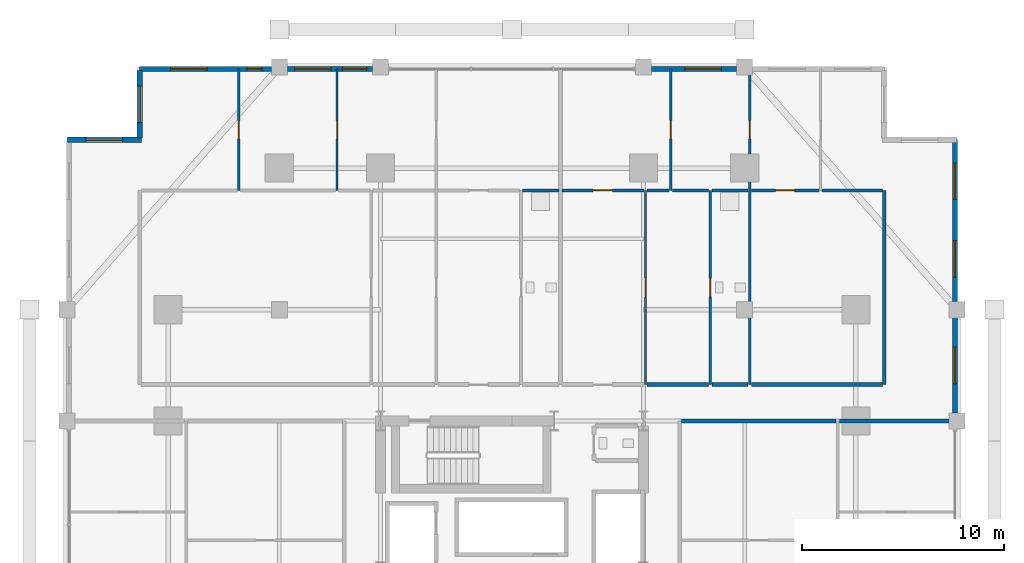
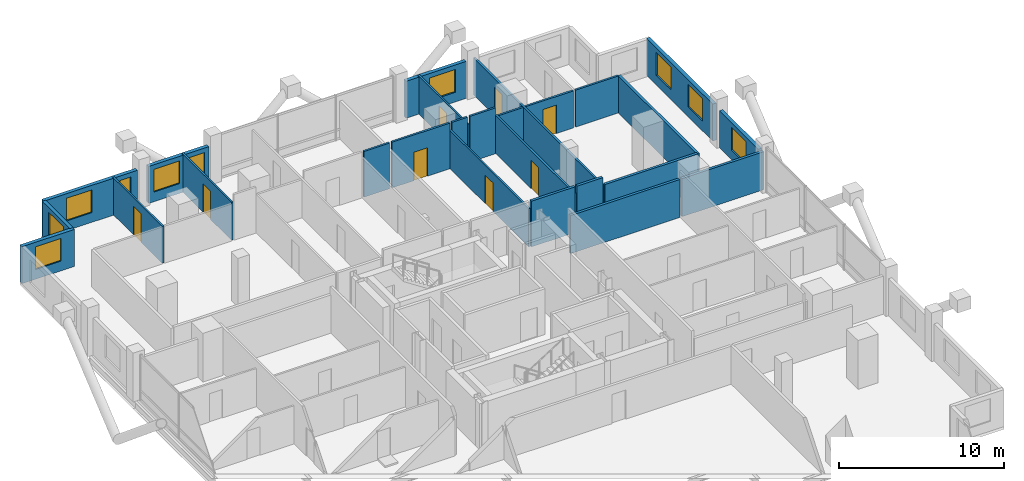
# One storey, part 20 of 23: 26 walls, 10 windows, 8 doors, 18 openings.
"""IFC4 building model written with IfcOpenShell, lengths in metres."""

from ifc_helpers import new_model, si_unit, direction, frame, frame_2d, origin, place, context, subcontext, project, spatial, rectangle, extrude, material, layer, layer_set, type_object, element, fill, save


model = new_model("IFC4")

# Units and contexts
model_context = context("Model", 3, precision=1e-05, world=origin(), true_north=direction((0.0, 1.0)))
body_context = subcontext(model_context, "Body", "Model", "MODEL_VIEW")
ifc_project = project(units=[si_unit("LENGTHUNIT", "METRE"), si_unit("AREAUNIT", "SQUARE_METRE"), si_unit("VOLUMEUNIT", "CUBIC_METRE"), si_unit("PLANEANGLEUNIT", "RADIAN"), si_unit("MASSUNIT", "GRAM", prefix="KILO")], contexts=[model_context])

# Site, building, storey
site_placement = place(None, origin())
site = spatial("IfcSite", under=ifc_project, at=site_placement, CompositionType="ELEMENT")
building_placement = place(site_placement, origin())
building = spatial("IfcBuilding", under=site, at=building_placement, Name="Barlavira Tower and Art Museum", CompositionType="ELEMENT")
storey_placement = place(building_placement, frame((0.0, 0.0, 57.60009765625)))
storey = spatial("IfcBuildingStorey", under=building, at=storey_placement, Name="L13", CompositionType="ELEMENT", Elevation=57.60009765625)

# Wall, opening, door
ifc_material_1 = material(Name="Gypsum acoustic stud partition", Category="gypsum")
ifc_layer_1 = layer(ifc_material_1, 0.1201171875, Name="Gypsum acoustic stud partition")
ifc_layer_set_1 = layer_set([ifc_layer_1], Name="Gypsum acoustic stud partition")
wall_type_1 = type_object("IfcWallType", Name="Apartment Internal Acoustic Partition 120", PredefinedType="PARTITIONING", material=ifc_layer_set_1)
wall_1_placement = place(storey_placement, frame((-13.5, 18.89990234375, 0.0), z_axis=(0.0, 0.0, 1.0), x_axis=(0.0, 1.0, 0.0)))
wall_1 = element("IfcWall", 1, at=wall_1_placement, inside=storey, type_object=wall_type_1, Name="L13 Partition Wall 3", PredefinedType="PARTITIONING", context=body_context, shape_type="SweptSolid", body=[
    extrude(rectangle(XDim=6.0, YDim=0.1201171875, at=frame_2d((3.0, 0.0))), origin(), (0.0, 0.0, 1.0), 2.73583984375),
])
opening_1_placement = place(wall_1_placement, frame((2.550048828125, 0.0, 0.0)))
opening_1 = element("IfcOpeningElement", 2, at=opening_1_placement, cuts=wall_1, Name="Opening D-01", PredefinedType="OPENING", context=body_context, shape_type="SweptSolid", body=[
    extrude(rectangle(XDim=0.89990234375, YDim=2.10009765625, at=frame_2d((0.449951171875, 1.050048828125))), frame((0.0, 0.070068359375, 0.0), z_axis=(0.0, -1.0, 0.0), x_axis=(1.0, 0.0, 0.0)), (0.0, 0.0, 1.0), 0.14013671875),
])
ifc_material_2 = material(Name="Engineered coastal hardwood", Category="wood")
door_type_1 = type_object("IfcDoorType", Name="Internal Bedroom Timber Flush Door 900x2100", OperationType="NOTDEFINED", PredefinedType="DOOR", material=ifc_material_2)
door_1_placement = place(opening_1_placement, origin())
door_1 = element("IfcDoor", 3, at=door_1_placement, inside=storey, type_object=door_type_1, Name="Apartment N1 Bedroom 3 Door", OperationType="SINGLE_SWING_RIGHT", OverallHeight=2.10009765625, OverallWidth=0.89990234375, PredefinedType="DOOR", context=body_context, shape_type="SweptSolid", body=[
    extrude(rectangle(XDim=0.89990234375, YDim=2.10009765625, at=frame_2d((0.449951171875, 1.050048828125))), frame((0.0, 0.02490234375, 0.0), z_axis=(0.0, -1.0, 0.0), x_axis=(1.0, 0.0, 0.0)), (0.0, 0.0, 1.0), 0.050048828125),
])
fill(opening_1, door_1)

wall_2_placement = place(storey_placement, frame((-8.64990234375, 18.89990234375, 0.0), z_axis=(0.0, 0.0, 1.0), x_axis=(0.0, 1.0, 0.0)))
wall_2 = element("IfcWall", 4, at=wall_2_placement, inside=storey, type_object=wall_type_1, Name="L13 Partition Wall 4", PredefinedType="PARTITIONING", context=body_context, shape_type="SweptSolid", body=[
    extrude(rectangle(XDim=6.0, YDim=0.1201171875, at=frame_2d((3.0, 0.0))), origin(), (0.0, 0.0, 1.0), 2.81591796875),
])
opening_2_placement = place(wall_2_placement, frame((2.550048828125, 0.0, 0.0)))
opening_2 = element("IfcOpeningElement", 5, at=opening_2_placement, cuts=wall_2, Name="Opening D-01", PredefinedType="OPENING", context=body_context, shape_type="SweptSolid", body=[
    extrude(rectangle(XDim=0.89990234375, YDim=2.10009765625, at=frame_2d((0.449951171875, 1.050048828125))), frame((0.0, 0.070068359375, 0.0), z_axis=(0.0, -1.0, 0.0), x_axis=(1.0, 0.0, 0.0)), (0.0, 0.0, 1.0), 0.14013671875),
])
door_2_placement = place(opening_2_placement, origin())
door_2 = element("IfcDoor", 6, at=door_2_placement, inside=storey, type_object=door_type_1, Name="Apartment N1 Bedroom 2 Door", OperationType="SINGLE_SWING_LEFT", OverallHeight=2.10009765625, OverallWidth=0.89990234375, PredefinedType="DOOR", context=body_context, shape_type="SweptSolid", body=[
    extrude(rectangle(XDim=0.89990234375, YDim=2.10009765625, at=frame_2d((0.449951171875, 1.050048828125))), frame((0.0, 0.02490234375, 0.0), z_axis=(0.0, -1.0, 0.0), x_axis=(1.0, 0.0, 0.0)), (0.0, 0.0, 1.0), 0.050048828125),
])
fill(opening_2, door_2)

wall_3_placement = place(storey_placement, frame((6.60009765625, 9.300048828125, 0.0), z_axis=(0.0, 0.0, 1.0), x_axis=(0.0, 1.0, 0.0)))
wall_3 = element("IfcWall", 7, at=wall_3_placement, inside=storey, type_object=wall_type_1, Name="L13 Partition Wall 12", PredefinedType="PARTITIONING", context=body_context, shape_type="SweptSolid", body=[
    extrude(rectangle(XDim=9.599853515625, YDim=0.1201171875, at=frame_2d((4.7998046875, 0.0))), origin(), (0.0, 0.0, 1.0), 2.81591796875),
])
opening_3_placement = place(wall_3_placement, frame((4.324951171875, 0.0, 0.0)))
opening_3 = element("IfcOpeningElement", 8, at=opening_3_placement, cuts=wall_3, Name="Opening D-02", PredefinedType="OPENING", context=body_context, shape_type="SweptSolid", body=[
    extrude(rectangle(XDim=0.949951171875, YDim=2.10009765625, at=frame_2d((0.47509765625, 1.050048828125))), frame((0.0, 0.070068359375, 0.0), z_axis=(0.0, -1.0, 0.0), x_axis=(1.0, 0.0, 0.0)), (0.0, 0.0, 1.0), 0.14013671875),
])
door_type_2 = type_object("IfcDoorType", Name="Living and Salon Glazed-Leaf Door 950x2100", OperationType="NOTDEFINED", PredefinedType="DOOR", material=ifc_material_2)
door_3_placement = place(opening_3_placement, origin())
door_3 = element("IfcDoor", 9, at=door_3_placement, inside=storey, type_object=door_type_2, Name="Apartment N2 Kitchen Door", OperationType="SINGLE_SWING_RIGHT", OverallHeight=2.10009765625, OverallWidth=0.949951171875, PredefinedType="DOOR", context=body_context, shape_type="SweptSolid", body=[
    extrude(rectangle(XDim=0.949951171875, YDim=2.10009765625, at=frame_2d((0.47509765625, 1.050048828125))), frame((0.0, 0.02490234375, 0.0), z_axis=(0.0, -1.0, 0.0), x_axis=(1.0, 0.0, 0.0)), (0.0, 0.0, 1.0), 0.050048828125),
])
fill(opening_3, door_3)

wall_4_placement = place(storey_placement, frame((7.85009765625, 18.89990234375, 0.0), z_axis=(0.0, 0.0, 1.0), x_axis=(0.0, 1.0, 0.0)))
wall_4 = element("IfcWall", 10, at=wall_4_placement, inside=storey, type_object=wall_type_1, Name="L13 Partition Wall 13", PredefinedType="PARTITIONING", context=body_context, shape_type="SweptSolid", body=[
    extrude(rectangle(XDim=6.0, YDim=0.1201171875, at=frame_2d((3.0, 0.0))), origin(), (0.0, 0.0, 1.0), 2.81591796875),
])
opening_4_placement = place(wall_4_placement, frame((2.550048828125, 0.0, 0.0)))
opening_4 = element("IfcOpeningElement", 11, at=opening_4_placement, cuts=wall_4, Name="Opening D-01", PredefinedType="OPENING", context=body_context, shape_type="SweptSolid", body=[
    extrude(rectangle(XDim=0.89990234375, YDim=2.10009765625, at=frame_2d((0.449951171875, 1.050048828125))), frame((0.0, 0.070068359375, 0.0), z_axis=(0.0, -1.0, 0.0), x_axis=(1.0, 0.0, 0.0)), (0.0, 0.0, 1.0), 0.14013671875),
])
door_4_placement = place(opening_4_placement, origin())
door_4 = element("IfcDoor", 12, at=door_4_placement, inside=storey, type_object=door_type_1, Name="Apartment N2 Bedroom 1 Door", OperationType="SINGLE_SWING_RIGHT", OverallHeight=2.10009765625, OverallWidth=0.89990234375, PredefinedType="DOOR", context=body_context, shape_type="SweptSolid", body=[
    extrude(rectangle(XDim=0.89990234375, YDim=2.10009765625, at=frame_2d((0.449951171875, 1.050048828125))), frame((0.0, 0.02490234375, 0.0), z_axis=(0.0, -1.0, 0.0), x_axis=(1.0, 0.0, 0.0)), (0.0, 0.0, 1.0), 0.050048828125),
])
fill(opening_4, door_4)

# Walls
ifc_layer_2 = layer(ifc_material_1, 0.179931640625, Name="Gypsum acoustic stud partition")
ifc_layer_set_2 = layer_set([ifc_layer_2], Name="Gypsum acoustic stud partition")
wall_type_2 = type_object("IfcWallType", Name="Inter-Tenancy Party Partition Wall 180", PredefinedType="PARTITIONING", material=ifc_layer_set_2)
wall_5_placement = place(storey_placement, frame((18.39990234375, 9.300048828125, 0.0), z_axis=(0.0, 0.0, 1.0), x_axis=(0.0, 1.0, 0.0)))
element("IfcWall", 13, at=wall_5_placement, inside=storey, type_object=wall_type_2, Name="L13 Partition Wall 20", PredefinedType="PARTITIONING", context=body_context, shape_type="SweptSolid", body=[
    extrude(rectangle(XDim=9.599853515625, YDim=0.179931640625, at=frame_2d((4.7998046875, 0.0))), origin(), (0.0, 0.0, 1.0), 2.73583984375),
])
wall_6_placement = place(storey_placement, frame((8.3798828125, 7.5, 0.0), z_axis=(0.0, 0.0, 1.0), x_axis=(1.0, 0.0, 0.0)))
element("IfcWall", 14, at=wall_6_placement, inside=storey, type_object=wall_type_2, Name="L13 Partition Wall 42", PredefinedType="PARTITIONING", context=body_context, shape_type="SweptSolid", body=[
    extrude(rectangle(XDim=7.64013671875, YDim=0.179931640625, at=frame_2d((3.820068359375, 0.0))), origin(), (0.0, 0.0, 1.0), 2.81591796875),
])
wall_7_placement = place(storey_placement, frame((16.179931640625, 7.5, 0.0), z_axis=(0.0, 0.0, 1.0), x_axis=(1.0, 0.0, 0.0)))
element("IfcWall", 15, at=wall_7_placement, inside=storey, type_object=wall_type_2, Name="L13 Partition Wall 43", PredefinedType="PARTITIONING", context=body_context, shape_type="SweptSolid", body=[
    extrude(rectangle(XDim=5.719970703125, YDim=0.179931640625, at=frame_2d((2.85986328125, 0.0))), origin(), (0.0, 0.0, 1.0), 2.81591796875),
])
wall_8_placement = place(storey_placement, frame((6.679931640625, 9.300048828125, 0.0), z_axis=(0.0, 0.0, 1.0), x_axis=(1.0, 0.0, 0.0)))
element("IfcWall", 16, at=wall_8_placement, inside=storey, type_object=wall_type_2, Name="L13 Partition Wall 49", PredefinedType="PARTITIONING", context=body_context, shape_type="SweptSolid", body=[
    extrude(rectangle(XDim=3.0400390625, YDim=0.179931640625, at=frame_2d((1.52001953125, 0.0))), origin(), (0.0, 0.0, 1.0), 3.3798828125),
])
wall_9_placement = place(storey_placement, frame((9.8798828125, 9.300048828125, 0.0), z_axis=(0.0, 0.0, 1.0), x_axis=(1.0, 0.0, 0.0)))
element("IfcWall", 17, at=wall_9_placement, inside=storey, type_object=wall_type_2, Name="L13 Partition Wall 50", PredefinedType="PARTITIONING", context=body_context, shape_type="SweptSolid", body=[
    extrude(rectangle(XDim=1.7900390625, YDim=0.179931640625, at=frame_2d((0.89501953125, 0.0))), origin(), (0.0, 0.0, 1.0), 3.3798828125),
])
wall_10_placement = place(storey_placement, frame((11.830078125, 9.300048828125, 0.0), z_axis=(0.0, 0.0, 1.0), x_axis=(1.0, 0.0, 0.0)))
element("IfcWall", 18, at=wall_10_placement, inside=storey, type_object=wall_type_2, Name="L13 Partition Wall 51", PredefinedType="PARTITIONING", context=body_context, shape_type="SweptSolid", body=[
    extrude(rectangle(XDim=6.489990234375, YDim=0.179931640625, at=frame_2d((3.2451171875, 0.0))), origin(), (0.0, 0.0, 1.0), 2.81591796875),
])

# Wall, opening, door
ifc_layer_3 = layer(ifc_material_1, 0.139892578125, Name="Gypsum acoustic stud partition")
ifc_layer_set_3 = layer_set([ifc_layer_3], Name="Gypsum acoustic stud partition")
wall_type_3 = type_object("IfcWallType", Name="Moisture-Resistant Bathroom Partition 140", PredefinedType="PARTITIONING", material=ifc_layer_set_3)
wall_11_placement = place(storey_placement, frame((9.800048828125, 9.300048828125, 0.0), z_axis=(0.0, 0.0, 1.0), x_axis=(0.0, 1.0, 0.0)))
wall_11 = element("IfcWall", 19, at=wall_11_placement, inside=storey, type_object=wall_type_3, Name="L13 Partition Wall 15", PredefinedType="PARTITIONING", context=body_context, shape_type="SweptSolid", body=[
    extrude(rectangle(XDim=9.599853515625, YDim=0.139892578125, at=frame_2d((4.7998046875, 0.0))), origin(), (0.0, 0.0, 1.0), 2.81591796875),
])
opening_5_placement = place(wall_11_placement, frame((4.35009765625, 0.0, 0.0)))
opening_5 = element("IfcOpeningElement", 20, at=opening_5_placement, cuts=wall_11, Name="Opening D-WC", PredefinedType="OPENING", context=body_context, shape_type="SweptSolid", body=[
    extrude(rectangle(XDim=0.89990234375, YDim=2.10009765625, at=frame_2d((0.449951171875, 1.050048828125))), frame((0.0, 0.080078125, 0.0), z_axis=(0.0, -1.0, 0.0), x_axis=(1.0, 0.0, 0.0)), (0.0, 0.0, 1.0), 0.159912109375),
])
door_type_3 = type_object("IfcDoorType", Name="Accessible Bathroom Flush Door 900x2100", OperationType="NOTDEFINED", PredefinedType="DOOR", material=ifc_material_2)
door_5_placement = place(opening_5_placement, origin())
door_5 = element("IfcDoor", 21, at=door_5_placement, inside=storey, type_object=door_type_3, Name="Apartment N2 Hall Bathroom Door", OperationType="SINGLE_SWING_LEFT", OverallHeight=2.10009765625, OverallWidth=0.89990234375, PredefinedType="DOOR", context=body_context, shape_type="SweptSolid", body=[
    extrude(rectangle(XDim=0.89990234375, YDim=2.10009765625, at=frame_2d((0.449951171875, 1.050048828125))), frame((0.0, 0.02490234375, 0.0), z_axis=(0.0, -1.0, 0.0), x_axis=(1.0, 0.0, 0.0)), (0.0, 0.0, 1.0), 0.050048828125),
])
fill(opening_5, door_5)

wall_12_placement = place(storey_placement, frame((11.75, 9.300048828125, 0.0), z_axis=(0.0, 0.0, 1.0), x_axis=(0.0, 1.0, 0.0)))
wall_12 = element("IfcWall", 22, at=wall_12_placement, inside=storey, type_object=wall_type_3, Name="L13 Partition Wall 17", PredefinedType="PARTITIONING", context=body_context, shape_type="SweptSolid", body=[
    extrude(rectangle(XDim=15.599853515625, YDim=0.139892578125, at=frame_2d((7.7998046875, 0.0))), origin(), (0.0, 0.0, 1.0), 2.73583984375),
])
opening_6_placement = place(wall_12_placement, frame((12.14990234375, 0.0, 0.0)))
opening_6 = element("IfcOpeningElement", 23, at=opening_6_placement, cuts=wall_12, Name="Opening D-01", PredefinedType="OPENING", context=body_context, shape_type="SweptSolid", body=[
    extrude(rectangle(XDim=0.89990234375, YDim=2.10009765625, at=frame_2d((0.449951171875, 1.050048828125))), frame((0.0, 0.080078125, 0.0), z_axis=(0.0, -1.0, 0.0), x_axis=(1.0, 0.0, 0.0)), (0.0, 0.0, 1.0), 0.159912109375),
])
door_6_placement = place(opening_6_placement, origin())
door_6 = element("IfcDoor", 24, at=door_6_placement, inside=storey, type_object=door_type_1, Name="Apartment N2 Bedroom 2 Door", OperationType="SINGLE_SWING_LEFT", OverallHeight=2.10009765625, OverallWidth=0.89990234375, PredefinedType="DOOR", context=body_context, shape_type="SweptSolid", body=[
    extrude(rectangle(XDim=0.89990234375, YDim=2.10009765625, at=frame_2d((0.449951171875, 1.050048828125))), frame((0.0, 0.02490234375, 0.0), z_axis=(0.0, -1.0, 0.0), x_axis=(1.0, 0.0, 0.0)), (0.0, 0.0, 1.0), 0.050048828125),
])
fill(opening_6, door_6)

# Wall
wall_13_placement = place(storey_placement, frame((0.530029296875, 18.89990234375, 0.0), z_axis=(0.0, 0.0, 1.0), x_axis=(1.0, 0.0, 0.0)))
element("IfcWall", 25, at=wall_13_placement, inside=storey, type_object=wall_type_3, Name="L13 Partition Wall 57", PredefinedType="PARTITIONING", context=body_context, shape_type="SweptSolid", body=[
    extrude(rectangle(XDim=1.7900390625, YDim=0.139892578125, at=frame_2d((0.89501953125, 0.0))), origin(), (0.0, 0.0, 1.0), 3.3798828125),
])

# Wall, opening, door
wall_14_placement = place(storey_placement, frame((2.47998046875, 18.89990234375, 0.0), z_axis=(0.0, 0.0, 1.0), x_axis=(1.0, 0.0, 0.0)))
wall_14 = element("IfcWall", 26, at=wall_14_placement, inside=storey, type_object=wall_type_3, Name="L13 Partition Wall 58", PredefinedType="PARTITIONING", context=body_context, shape_type="SweptSolid", body=[
    extrude(rectangle(XDim=4.0400390625, YDim=0.139892578125, at=frame_2d((2.02001953125, 0.0))), origin(), (0.0, 0.0, 1.0), 3.3798828125),
])
opening_7_placement = place(wall_14_placement, frame((1.534912109375, 0.0, 0.0)))
opening_7 = element("IfcOpeningElement", 27, at=opening_7_placement, cuts=wall_14, Name="Opening D-02", PredefinedType="OPENING", context=body_context, shape_type="SweptSolid", body=[
    extrude(rectangle(XDim=0.949951171875, YDim=2.10009765625, at=frame_2d((0.47509765625, 1.050048828125))), frame((0.0, 0.080078125, 0.0), z_axis=(0.0, -1.0, 0.0), x_axis=(1.0, 0.0, 0.0)), (0.0, 0.0, 1.0), 0.159912109375),
])
door_7_placement = place(opening_7_placement, origin())
door_7 = element("IfcDoor", 28, at=door_7_placement, inside=storey, type_object=door_type_2, Name="Apartment N2 Living Lounge Door", OperationType="SINGLE_SWING_LEFT", OverallHeight=2.10009765625, OverallWidth=0.949951171875, PredefinedType="DOOR", context=body_context, shape_type="SweptSolid", body=[
    extrude(rectangle(XDim=0.949951171875, YDim=2.10009765625, at=frame_2d((0.47509765625, 1.050048828125))), frame((0.0, 0.02490234375, 0.0), z_axis=(0.0, -1.0, 0.0), x_axis=(1.0, 0.0, 0.0)), (0.0, 0.0, 1.0), 0.050048828125),
])
fill(opening_7, door_7)

# Walls
wall_15_placement = place(storey_placement, frame((6.679931640625, 18.89990234375, 0.0), z_axis=(0.0, 0.0, 1.0), x_axis=(1.0, 0.0, 0.0)))
element("IfcWall", 29, at=wall_15_placement, inside=storey, type_object=wall_type_3, Name="L13 Partition Wall 59", PredefinedType="PARTITIONING", context=body_context, shape_type="SweptSolid", body=[
    extrude(rectangle(XDim=1.090087890625, YDim=0.139892578125, at=frame_2d((0.544921875, 0.0))), origin(), (0.0, 0.0, 1.0), 3.3798828125),
])
wall_16_placement = place(storey_placement, frame((7.929931640625, 18.89990234375, 0.0), z_axis=(0.0, 0.0, 1.0), x_axis=(1.0, 0.0, 0.0)))
element("IfcWall", 30, at=wall_16_placement, inside=storey, type_object=wall_type_3, Name="L13 Partition Wall 60", PredefinedType="PARTITIONING", context=body_context, shape_type="SweptSolid", body=[
    extrude(rectangle(XDim=1.7900390625, YDim=0.139892578125, at=frame_2d((0.89501953125, 0.0))), origin(), (0.0, 0.0, 1.0), 3.3798828125),
])
wall_17_placement = place(storey_placement, frame((9.8798828125, 18.89990234375, 0.0), z_axis=(0.0, 0.0, 1.0), x_axis=(1.0, 0.0, 0.0)))
element("IfcWall", 31, at=wall_17_placement, inside=storey, type_object=wall_type_3, Name="L13 Partition Wall 61", PredefinedType="PARTITIONING", context=body_context, shape_type="SweptSolid", body=[
    extrude(rectangle(XDim=1.7900390625, YDim=0.139892578125, at=frame_2d((0.89501953125, 0.0))), origin(), (0.0, 0.0, 1.0), 2.73583984375),
])

# Wall, opening, door
wall_18_placement = place(storey_placement, frame((11.830078125, 18.89990234375, 0.0), z_axis=(0.0, 0.0, 1.0), x_axis=(1.0, 0.0, 0.0)))
wall_18 = element("IfcWall", 32, at=wall_18_placement, inside=storey, type_object=wall_type_3, Name="L13 Partition Wall 62", PredefinedType="PARTITIONING", context=body_context, shape_type="SweptSolid", body=[
    extrude(rectangle(XDim=3.33984375, YDim=0.139892578125, at=frame_2d((1.669921875, 0.0))), origin(), (0.0, 0.0, 1.0), 2.73583984375),
])
opening_8_placement = place(wall_18_placement, frame((1.195068359375, 0.0, 0.0)))
opening_8 = element("IfcOpeningElement", 33, at=opening_8_placement, cuts=wall_18, Name="Opening D-02", PredefinedType="OPENING", context=body_context, shape_type="SweptSolid", body=[
    extrude(rectangle(XDim=0.949951171875, YDim=2.10009765625, at=frame_2d((0.47509765625, 1.050048828125))), frame((0.0, 0.080078125, 0.0), z_axis=(0.0, -1.0, 0.0), x_axis=(1.0, 0.0, 0.0)), (0.0, 0.0, 1.0), 0.159912109375),
])
door_8_placement = place(opening_8_placement, origin())
door_8 = element("IfcDoor", 34, at=door_8_placement, inside=storey, type_object=door_type_2, Name="Apartment N2 Dining Salon Door", OperationType="SINGLE_SWING_RIGHT", OverallHeight=2.10009765625, OverallWidth=0.949951171875, PredefinedType="DOOR", context=body_context, shape_type="SweptSolid", body=[
    extrude(rectangle(XDim=0.949951171875, YDim=2.10009765625, at=frame_2d((0.47509765625, 1.050048828125))), frame((0.0, 0.02490234375, 0.0), z_axis=(0.0, -1.0, 0.0), x_axis=(1.0, 0.0, 0.0)), (0.0, 0.0, 1.0), 0.050048828125),
])
fill(opening_8, door_8)

# Wall
wall_19_placement = place(storey_placement, frame((15.330078125, 18.89990234375, 0.0), z_axis=(0.0, 0.0, 1.0), x_axis=(1.0, 0.0, 0.0)))
element("IfcWall", 35, at=wall_19_placement, inside=storey, type_object=wall_type_3, Name="L13 Partition Wall 63", PredefinedType="PARTITIONING", context=body_context, shape_type="SweptSolid", body=[
    extrude(rectangle(XDim=2.989990234375, YDim=0.139892578125, at=frame_2d((1.4951171875, 0.0))), origin(), (0.0, 0.0, 1.0), 2.73583984375),
])

# Wall, opening, window
ifc_material_3 = material(Name="Precast concrete C40", Category="concrete")
ifc_layer_4 = layer(ifc_material_3, 0.25, Name="Precast concrete C40")
ifc_layer_set_4 = layer_set([ifc_layer_4], Name="Precast concrete C40")
wall_type_4 = type_object("IfcWallType", Name="Notched Corner Spandrel Wall 250 Precast Concrete C40", PredefinedType="SOLIDWALL", material=ifc_layer_set_4)
wall_20_placement = place(storey_placement, frame((11.10498046875, 24.89990234375, 0.0), z_axis=(0.0, 0.0, 1.0), x_axis=(-1.0, 0.0, 0.0)))
wall_20 = element("IfcWall", 36, at=wall_20_placement, inside=storey, type_object=wall_type_4, Name="L13 Coastal Facade Pier Wall CW1-L13-N-2", PredefinedType="SOLIDWALL", context=body_context, shape_type="SweptSolid", body=[
    extrude(rectangle(XDim=4.2099609375, YDim=0.25, at=frame_2d((2.10498046875, 0.0))), origin(), (0.0, 0.0, 1.0), 2.73583984375),
])
opening_9_placement = place(wall_20_placement, frame((0.760009765625, 0.0, 0.719970703125)))
opening_9 = element("IfcOpeningElement", 37, at=opening_9_placement, cuts=wall_20, Name="Opening WN-01", PredefinedType="OPENING", context=body_context, shape_type="SweptSolid", body=[
    extrude(rectangle(XDim=1.800048828125, YDim=1.679931640625, at=frame_2d((0.89990234375, 0.83984375))), frame((0.0, 0.135009765625, 0.0), z_axis=(0.0, -1.0, 0.0), x_axis=(1.0, 0.0, 0.0)), (0.0, 0.0, 1.0), 0.27001953125),
])
ifc_material_4 = material(Name="Low-iron coastal laminated glass", Category="glass")
window_type_1 = type_object("IfcWindowType", Name="Recessed Notch Corner Punch Window 1800x1680", PartitioningType="SINGLE_PANEL", PredefinedType="WINDOW", material=ifc_material_4)
window_1_placement = place(opening_9_placement, origin())
window_1 = element("IfcWindow", 38, at=window_1_placement, inside=storey, type_object=window_type_1, Name="L13 Punched Facade Window EWP-CW1-L13-N-2-1", OverallHeight=1.679931640625, OverallWidth=1.800048828125, PartitioningType="SINGLE_PANEL", PredefinedType="WINDOW", context=body_context, shape_type="SweptSolid", body=[
    extrude(rectangle(XDim=1.800048828125, YDim=1.679931640625, at=frame_2d((0.89990234375, 0.83984375))), frame((0.0, 0.030029296875, 0.0), z_axis=(0.0, -1.0, 0.0), x_axis=(1.0, 0.0, 0.0)), (0.0, 0.0, 1.0), 0.06005859375),
])
fill(opening_9, window_1)

# Wall, openings, windows
wall_21_placement = place(storey_placement, frame((-6.89501953125, 24.89990234375, 0.0), z_axis=(0.0, 0.0, 1.0), x_axis=(-1.0, 0.0, 0.0)))
wall_21 = element("IfcWall", 39, at=wall_21_placement, inside=storey, type_object=wall_type_4, Name="L13 Coastal Facade Pier Wall CW1-L13-N-4", PredefinedType="SOLIDWALL", context=body_context, shape_type="SweptSolid", body=[
    extrude(rectangle(XDim=4.2099609375, YDim=0.25, at=frame_2d((2.10498046875, 0.0))), origin(), (0.0, 0.0, 1.0), 2.73583984375),
])
opening_10_placement = place(wall_21_placement, frame((0.294921875, 0.0, 0.719970703125)))
opening_10 = element("IfcOpeningElement", 40, at=opening_10_placement, cuts=wall_21, Name="Opening WN-05", PredefinedType="OPENING", context=body_context, shape_type="SweptSolid", body=[
    extrude(rectangle(XDim=1.199951171875, YDim=1.679931640625, at=frame_2d((0.60009765625, 0.83984375))), frame((0.0, 0.135009765625, 0.0), z_axis=(0.0, -1.0, 0.0), x_axis=(1.0, 0.0, 0.0)), (0.0, 0.0, 1.0), 0.27001953125),
])
opening_11_placement = place(wall_21_placement, frame((2.054931640625, 0.0, 0.719970703125)))
opening_11 = element("IfcOpeningElement", 41, at=opening_11_placement, cuts=wall_21, Name="Opening WN-01", PredefinedType="OPENING", context=body_context, shape_type="SweptSolid", body=[
    extrude(rectangle(XDim=1.800048828125, YDim=1.679931640625, at=frame_2d((0.89990234375, 0.83984375))), frame((0.0, 0.135009765625, 0.0), z_axis=(0.0, -1.0, 0.0), x_axis=(1.0, 0.0, 0.0)), (0.0, 0.0, 1.0), 0.27001953125),
])
window_type_2 = type_object("IfcWindowType", Name="Recessed Flank Pier Punch Window 1200x1680", PartitioningType="SINGLE_PANEL", PredefinedType="WINDOW", material=ifc_material_4)
window_2_placement = place(opening_10_placement, origin())
window_2 = element("IfcWindow", 42, at=window_2_placement, inside=storey, type_object=window_type_2, Name="L13 Punched Facade Window EWP-CW1-L13-N-4-1", OverallHeight=1.679931640625, OverallWidth=1.199951171875, PartitioningType="SINGLE_PANEL", PredefinedType="WINDOW", context=body_context, shape_type="SweptSolid", body=[
    extrude(rectangle(XDim=1.199951171875, YDim=1.679931640625, at=frame_2d((0.60009765625, 0.83984375))), frame((0.0, 0.030029296875, 0.0), z_axis=(0.0, -1.0, 0.0), x_axis=(1.0, 0.0, 0.0)), (0.0, 0.0, 1.0), 0.06005859375),
])
fill(opening_10, window_2)
window_3_placement = place(opening_11_placement, origin())
window_3 = element("IfcWindow", 43, at=window_3_placement, inside=storey, type_object=window_type_1, Name="L13 Punched Facade Window EWP-CW1-L13-N-4-2", OverallHeight=1.679931640625, OverallWidth=1.800048828125, PartitioningType="SINGLE_PANEL", PredefinedType="WINDOW", context=body_context, shape_type="SweptSolid", body=[
    extrude(rectangle(XDim=1.800048828125, YDim=1.679931640625, at=frame_2d((0.89990234375, 0.83984375))), frame((0.0, 0.030029296875, 0.0), z_axis=(0.0, -1.0, 0.0), x_axis=(1.0, 0.0, 0.0)), (0.0, 0.0, 1.0), 0.06005859375),
])
fill(opening_11, window_3)

wall_22_placement = place(storey_placement, frame((-11.89501953125, 24.89990234375, 0.0), z_axis=(0.0, 0.0, 1.0), x_axis=(-1.0, 0.0, 0.0)))
wall_22 = element("IfcWall", 44, at=wall_22_placement, inside=storey, type_object=wall_type_4, Name="L13 Coastal Facade Pier Wall CW1-L13-N-5", PredefinedType="SOLIDWALL", context=body_context, shape_type="SweptSolid", body=[
    extrude(rectangle(XDim=6.530029296875, YDim=0.25, at=frame_2d((3.26513671875, 0.0))), origin(), (0.0, 0.0, 1.0), 2.73583984375),
])
opening_12_placement = place(wall_22_placement, frame((0.455078125, 0.0, 0.719970703125)))
opening_12 = element("IfcOpeningElement", 45, at=opening_12_placement, cuts=wall_22, Name="Opening WN-06", PredefinedType="OPENING", context=body_context, shape_type="SweptSolid", body=[
    extrude(rectangle(XDim=0.760009765625, YDim=1.679931640625, at=frame_2d((0.3798828125, 0.83984375))), frame((0.0, 0.135009765625, 0.0), z_axis=(0.0, -1.0, 0.0), x_axis=(1.0, 0.0, 0.0)), (0.0, 0.0, 1.0), 0.27001953125),
])
opening_13_placement = place(wall_22_placement, frame((3.177978515625, 0.0, 0.719970703125)))
opening_13 = element("IfcOpeningElement", 46, at=opening_13_placement, cuts=wall_22, Name="Opening WN-01", PredefinedType="OPENING", context=body_context, shape_type="SweptSolid", body=[
    extrude(rectangle(XDim=1.800048828125, YDim=1.679931640625, at=frame_2d((0.89990234375, 0.83984375))), frame((0.0, 0.135009765625, 0.0), z_axis=(0.0, -1.0, 0.0), x_axis=(1.0, 0.0, 0.0)), (0.0, 0.0, 1.0), 0.27001953125),
])
window_type_3 = type_object("IfcWindowType", Name="Recessed Narrow Pier Window 760x1680", PartitioningType="SINGLE_PANEL", PredefinedType="WINDOW", material=ifc_material_4)
window_4_placement = place(opening_12_placement, origin())
window_4 = element("IfcWindow", 47, at=window_4_placement, inside=storey, type_object=window_type_3, Name="L13 Punched Facade Window EWP-CW1-L13-N-5-1", OverallHeight=1.679931640625, OverallWidth=0.760009765625, PartitioningType="SINGLE_PANEL", PredefinedType="WINDOW", context=body_context, shape_type="SweptSolid", body=[
    extrude(rectangle(XDim=0.760009765625, YDim=1.679931640625, at=frame_2d((0.3798828125, 0.83984375))), frame((0.0, 0.030029296875, 0.0), z_axis=(0.0, -1.0, 0.0), x_axis=(1.0, 0.0, 0.0)), (0.0, 0.0, 1.0), 0.06005859375),
])
fill(opening_12, window_4)
window_5_placement = place(opening_13_placement, origin())
window_5 = element("IfcWindow", 48, at=window_5_placement, inside=storey, type_object=window_type_1, Name="L13 Punched Facade Window EWP-CW1-L13-N-5-2", OverallHeight=1.679931640625, OverallWidth=1.800048828125, PartitioningType="SINGLE_PANEL", PredefinedType="WINDOW", context=body_context, shape_type="SweptSolid", body=[
    extrude(rectangle(XDim=1.800048828125, YDim=1.679931640625, at=frame_2d((0.89990234375, 0.83984375))), frame((0.0, 0.030029296875, 0.0), z_axis=(0.0, -1.0, 0.0), x_axis=(1.0, 0.0, 0.0)), (0.0, 0.0, 1.0), 0.06005859375),
])
fill(opening_13, window_5)

# Wall, opening, window
wall_23_placement = place(storey_placement, frame((21.89990234375, 7.89501953125, 0.0), z_axis=(0.0, 0.0, 1.0), x_axis=(0.0, 1.0, 0.0)))
wall_23 = element("IfcWall", 49, at=wall_23_placement, inside=storey, type_object=wall_type_4, Name="L13 Coastal Facade Pier Wall CW1-L13-E-4", PredefinedType="SOLIDWALL", context=body_context, shape_type="SweptSolid", body=[
    extrude(rectangle(XDim=4.7099609375, YDim=0.25, at=frame_2d((2.35498046875, 0.0))), origin(), (0.0, 0.0, 1.0), 2.73583984375),
])
opening_14_placement = place(wall_23_placement, frame((1.455078125, 0.0, 0.719970703125)))
opening_14 = element("IfcOpeningElement", 50, at=opening_14_placement, cuts=wall_23, Name="Opening WN-01", PredefinedType="OPENING", context=body_context, shape_type="SweptSolid", body=[
    extrude(rectangle(XDim=1.800048828125, YDim=1.679931640625, at=frame_2d((0.89990234375, 0.83984375))), frame((0.0, 0.135009765625, 0.0), z_axis=(0.0, -1.0, 0.0), x_axis=(1.0, 0.0, 0.0)), (0.0, 0.0, 1.0), 0.27001953125),
])
window_6_placement = place(opening_14_placement, origin())
window_6 = element("IfcWindow", 51, at=window_6_placement, inside=storey, type_object=window_type_1, Name="L13 Punched Facade Window EWP-CW1-L13-E-4-1", OverallHeight=1.679931640625, OverallWidth=1.800048828125, PartitioningType="SINGLE_PANEL", PredefinedType="WINDOW", context=body_context, shape_type="SweptSolid", body=[
    extrude(rectangle(XDim=1.800048828125, YDim=1.679931640625, at=frame_2d((0.89990234375, 0.83984375))), frame((0.0, 0.030029296875, 0.0), z_axis=(0.0, -1.0, 0.0), x_axis=(1.0, 0.0, 0.0)), (0.0, 0.0, 1.0), 0.06005859375),
])
fill(opening_14, window_6)

# Wall, openings, windows
wall_24_placement = place(storey_placement, frame((21.89990234375, 13.39501953125, 0.0), z_axis=(0.0, 0.0, 1.0), x_axis=(0.0, 1.0, 0.0)))
wall_24 = element("IfcWall", 52, at=wall_24_placement, inside=storey, type_object=wall_type_4, Name="L13 Coastal Facade Pier Wall CW1-L13-E-5", PredefinedType="SOLIDWALL", context=body_context, shape_type="SweptSolid", body=[
    extrude(rectangle(XDim=8.030029296875, YDim=0.25, at=frame_2d((4.01513671875, 0.0))), origin(), (0.0, 0.0, 1.0), 2.73583984375),
])
opening_15_placement = place(wall_24_placement, frame((1.220947265625, 0.0, 0.719970703125)))
opening_15 = element("IfcOpeningElement", 53, at=opening_15_placement, cuts=wall_24, Name="Opening WN-01", PredefinedType="OPENING", context=body_context, shape_type="SweptSolid", body=[
    extrude(rectangle(XDim=1.800048828125, YDim=1.679931640625, at=frame_2d((0.89990234375, 0.83984375))), frame((0.0, 0.135009765625, 0.0), z_axis=(0.0, -1.0, 0.0), x_axis=(1.0, 0.0, 0.0)), (0.0, 0.0, 1.0), 0.27001953125),
])
opening_16_placement = place(wall_24_placement, frame((5.053955078125, 0.0, 0.719970703125)))
opening_16 = element("IfcOpeningElement", 54, at=opening_16_placement, cuts=wall_24, Name="Opening WN-01", PredefinedType="OPENING", context=body_context, shape_type="SweptSolid", body=[
    extrude(rectangle(XDim=1.800048828125, YDim=1.679931640625, at=frame_2d((0.89990234375, 0.83984375))), frame((0.0, 0.135009765625, 0.0), z_axis=(0.0, -1.0, 0.0), x_axis=(1.0, 0.0, 0.0)), (0.0, 0.0, 1.0), 0.27001953125),
])
window_7_placement = place(opening_15_placement, origin())
window_7 = element("IfcWindow", 55, at=window_7_placement, inside=storey, type_object=window_type_1, Name="L13 Punched Facade Window EWP-CW1-L13-E-5-1", OverallHeight=1.679931640625, OverallWidth=1.800048828125, PartitioningType="SINGLE_PANEL", PredefinedType="WINDOW", context=body_context, shape_type="SweptSolid", body=[
    extrude(rectangle(XDim=1.800048828125, YDim=1.679931640625, at=frame_2d((0.89990234375, 0.83984375))), frame((0.0, 0.030029296875, 0.0), z_axis=(0.0, -1.0, 0.0), x_axis=(1.0, 0.0, 0.0)), (0.0, 0.0, 1.0), 0.06005859375),
])
fill(opening_15, window_7)
window_8_placement = place(opening_16_placement, origin())
window_8 = element("IfcWindow", 56, at=window_8_placement, inside=storey, type_object=window_type_1, Name="L13 Punched Facade Window EWP-CW1-L13-E-5-2", OverallHeight=1.679931640625, OverallWidth=1.800048828125, PartitioningType="SINGLE_PANEL", PredefinedType="WINDOW", context=body_context, shape_type="SweptSolid", body=[
    extrude(rectangle(XDim=1.800048828125, YDim=1.679931640625, at=frame_2d((0.89990234375, 0.83984375))), frame((0.0, 0.030029296875, 0.0), z_axis=(0.0, -1.0, 0.0), x_axis=(1.0, 0.0, 0.0)), (0.0, 0.0, 1.0), 0.06005859375),
])
fill(opening_16, window_8)

# Wall, opening, window
wall_25_placement = place(storey_placement, frame((-18.39990234375, 24.820068359375, 0.0), z_axis=(0.0, 0.0, 1.0), x_axis=(0.0, -1.0, 0.0)))
wall_25 = element("IfcWall", 57, at=wall_25_placement, inside=storey, type_object=wall_type_4, Name="L13 Notch Corner Wall NW1", PredefinedType="SOLIDWALL", context=body_context, shape_type="SweptSolid", body=[
    extrude(rectangle(XDim=3.340087890625, YDim=0.25, at=frame_2d((1.669921875, 0.0))), origin(), (0.0, 0.0, 1.0), 2.73583984375),
])
opening_17_placement = place(wall_25_placement, frame((0.77001953125, 0.0, 0.719970703125)))
opening_17 = element("IfcOpeningElement", 58, at=opening_17_placement, cuts=wall_25, Name="Opening WN-01", PredefinedType="OPENING", context=body_context, shape_type="SweptSolid", body=[
    extrude(rectangle(XDim=1.800048828125, YDim=1.679931640625, at=frame_2d((0.89990234375, 0.83984375))), frame((0.0, 0.135009765625, 0.0), z_axis=(0.0, -1.0, 0.0), x_axis=(1.0, 0.0, 0.0)), (0.0, 0.0, 1.0), 0.27001953125),
])
window_9_placement = place(opening_17_placement, origin())
window_9 = element("IfcWindow", 59, at=window_9_placement, inside=storey, type_object=window_type_1, Name="L13 Punched Facade Window EW-NTC-L13-NW1-1", OverallHeight=1.679931640625, OverallWidth=1.800048828125, PartitioningType="SINGLE_PANEL", PredefinedType="WINDOW", context=body_context, shape_type="SweptSolid", body=[
    extrude(rectangle(XDim=1.800048828125, YDim=1.679931640625, at=frame_2d((0.89990234375, 0.83984375))), frame((0.0, 0.030029296875, 0.0), z_axis=(0.0, -1.0, 0.0), x_axis=(1.0, 0.0, 0.0)), (0.0, 0.0, 1.0), 0.06005859375),
])
fill(opening_17, window_9)

wall_26_placement = place(storey_placement, frame((-18.320068359375, 21.39990234375, 0.0), z_axis=(0.0, 0.0, 1.0), x_axis=(-1.0, 0.0, 0.0)))
wall_26 = element("IfcWall", 60, at=wall_26_placement, inside=storey, type_object=wall_type_4, Name="L13 Notch Corner Wall NW2", PredefinedType="SOLIDWALL", context=body_context, shape_type="SweptSolid", body=[
    extrude(rectangle(XDim=3.659912109375, YDim=0.25, at=frame_2d((1.830078125, 0.0))), origin(), (0.0, 0.0, 1.0), 2.73583984375),
])
opening_18_placement = place(wall_26_placement, frame((0.929931640625, 0.0, 0.719970703125)))
opening_18 = element("IfcOpeningElement", 61, at=opening_18_placement, cuts=wall_26, Name="Opening WN-01", PredefinedType="OPENING", context=body_context, shape_type="SweptSolid", body=[
    extrude(rectangle(XDim=1.800048828125, YDim=1.679931640625, at=frame_2d((0.89990234375, 0.83984375))), frame((0.0, 0.135009765625, 0.0), z_axis=(0.0, -1.0, 0.0), x_axis=(1.0, 0.0, 0.0)), (0.0, 0.0, 1.0), 0.27001953125),
])
window_10_placement = place(opening_18_placement, origin())
window_10 = element("IfcWindow", 62, at=window_10_placement, inside=storey, type_object=window_type_1, Name="L13 Punched Facade Window EW-NTC-L13-NW2-1", OverallHeight=1.679931640625, OverallWidth=1.800048828125, PartitioningType="SINGLE_PANEL", PredefinedType="WINDOW", context=body_context, shape_type="SweptSolid", body=[
    extrude(rectangle(XDim=1.800048828125, YDim=1.679931640625, at=frame_2d((0.89990234375, 0.83984375))), frame((0.0, 0.030029296875, 0.0), z_axis=(0.0, -1.0, 0.0), x_axis=(1.0, 0.0, 0.0)), (0.0, 0.0, 1.0), 0.06005859375),
])
fill(opening_18, window_10)

save(model, "model.ifc")
